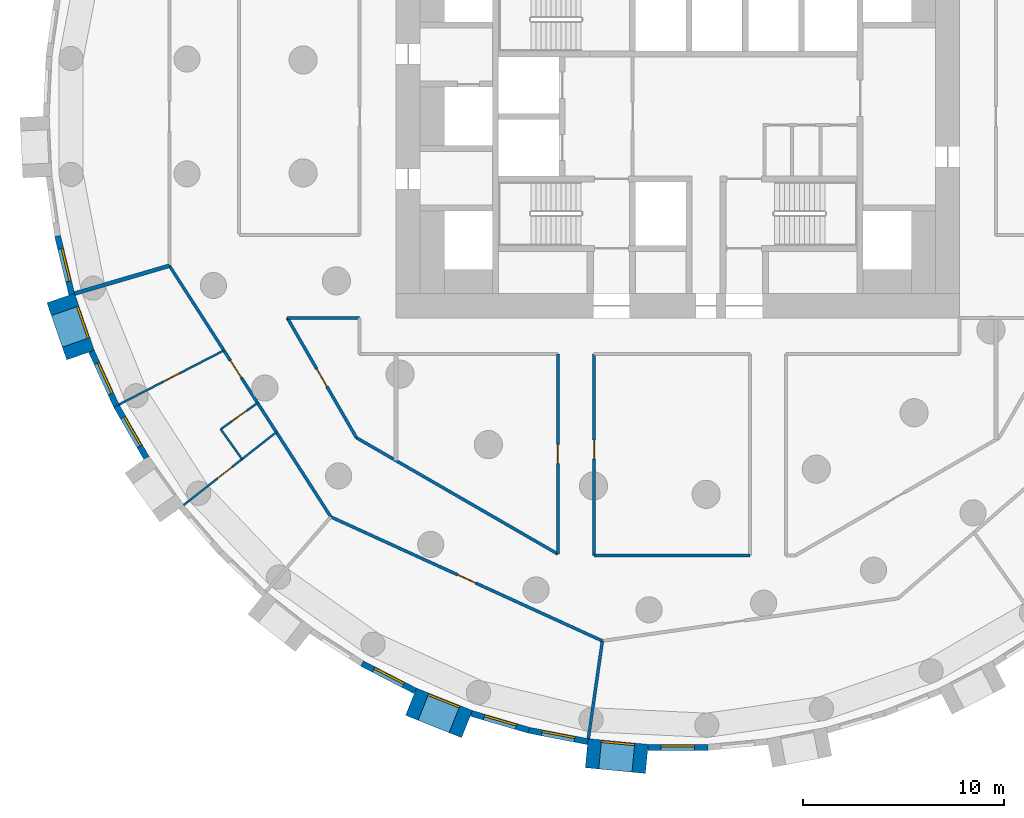
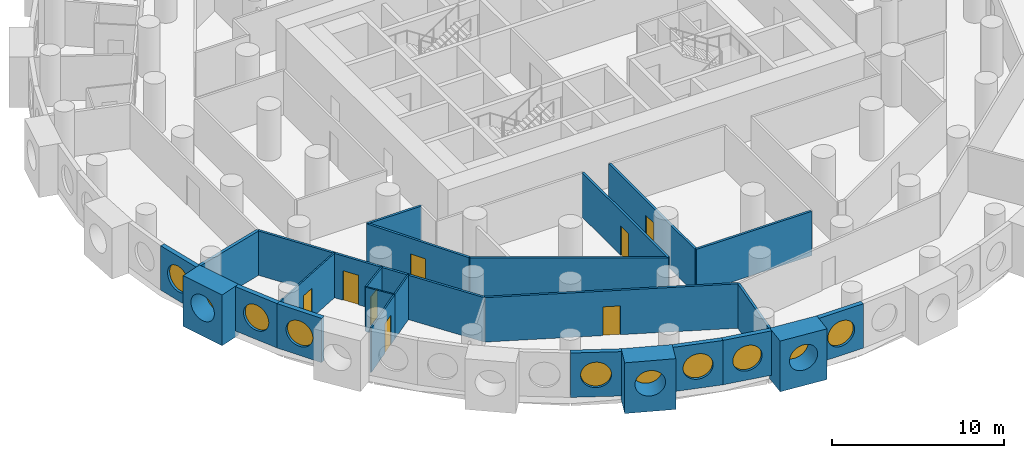
# One storey, part 3 of 12: 25 walls, 10 windows, 8 doors, 18 openings.
"""IFC4 building model written with IfcOpenShell, lengths in metres."""

from ifc_helpers import new_model, si_unit, direction, frame, frame_2d, origin, origin_2d, place, context, subcontext, project, spatial, rectangle, circle, extrude, material, layer, layer_set, type_object, element, fill, save


model = new_model("IFC4")

# Units and contexts
model_context = context("Model", 3, precision=1e-05, world=origin(), true_north=direction((0.0, 1.0)))
body_context = subcontext(model_context, "Body", "Model", "MODEL_VIEW")
ifc_project = project(units=[si_unit("LENGTHUNIT", "METRE"), si_unit("AREAUNIT", "SQUARE_METRE"), si_unit("VOLUMEUNIT", "CUBIC_METRE"), si_unit("PLANEANGLEUNIT", "RADIAN"), si_unit("MASSUNIT", "GRAM", prefix="KILO")], contexts=[model_context])

# Site, building, storey
site_placement = place(None, origin())
site = spatial("IfcSite", under=ifc_project, at=site_placement, CompositionType="ELEMENT")
building_placement = place(site_placement, origin())
building = spatial("IfcBuilding", under=site, at=building_placement, Name="Tracery Tower", CompositionType="ELEMENT")
storey_placement = place(building_placement, frame((0.0, 0.0, 89.39990234375)))
storey = spatial("IfcBuildingStorey", under=building, at=storey_placement, Name="L22", CompositionType="ELEMENT", Elevation=89.39990234375)

# Wall, opening, window
ifc_material_1 = material(Name="Precast concrete C50/60", Category="concrete")
ifc_layer_1 = layer(ifc_material_1, 1.449951171875)
ifc_layer_set_1 = layer_set([ifc_layer_1], Name="Deep-set bay unit 3000 x 3600, slab edge 450")
wall_type_1 = type_object("IfcWallType", Name="Deep-set bay unit 3000 x 3600, slab edge 450", PredefinedType="ELEMENTEDWALL", material=ifc_layer_set_1)
wall_1_placement = place(storey_placement, frame((-30.649169921875, -9.0205078125, -0.449951171875), z_axis=(0.0, 0.0, 1.0), x_axis=(0.327071431777, -0.944999618262, 0.0)))
wall_1 = element("IfcWall", 1, at=wall_1_placement, inside=storey, type_object=wall_type_1, Name="Deep-set bay unit 37 at L22", PredefinedType="ELEMENTEDWALL", context=body_context, shape_type="SweptSolid", body=[
    extrude(rectangle(XDim=3.0, YDim=1.449951171875, at=frame_2d((1.5, 0.0))), origin(), (0.0, 0.0, 1.0), 3.60009765625),
])
opening_1_placement = place(wall_1_placement, frame((1.5, 0.0, 2.0)))
opening_1 = element("IfcOpeningElement", 2, at=opening_1_placement, cuts=wall_1, Name="Opening WN1", PredefinedType="OPENING", context=body_context, shape_type="SweptSolid", body=[
    extrude(circle(Radius=0.9000244140625, at=origin_2d()), frame((0.0, 0.73486328125, 0.0), z_axis=(0.0, -1.0, 0.0), x_axis=(1.0, 0.0, 0.0)), (0.0, 0.0, 1.0), 1.469970703125),
])
ifc_material_2 = material(Name="Aluminium frame with tinted double glazing", Category="aluminium")
window_type = type_object("IfcWindowType", Name="Round window 1800", PartitioningType="SINGLE_PANEL", PredefinedType="WINDOW", material=ifc_material_2)
window_1_placement = place(opening_1_placement, origin())
window_1 = element("IfcWindow", 3, at=window_1_placement, inside=storey, type_object=window_type, Name="Round window 37 at L22", OverallHeight=1.800048828125, OverallWidth=1.800048828125, PartitioningType="SINGLE_PANEL", PredefinedType="WINDOW", context=body_context, shape_type="SweptSolid", body=[
    extrude(circle(Radius=0.9000244140625, at=origin_2d()), frame((0.0, 0.69482421875, 0.0), z_axis=(0.0, -1.0, 0.0), x_axis=(1.0, 0.0, 0.0)), (0.0, 0.0, 1.0), 0.10009765625),
])
fill(opening_1, window_1)

wall_2_placement = place(storey_placement, frame((-13.253662109375, -29.0703125, -0.449951171875), z_axis=(0.0, 0.0, 1.0), x_axis=(0.928358776184, -0.371685327504, 0.0)))
wall_2 = element("IfcWall", 4, at=wall_2_placement, inside=storey, type_object=wall_type_1, Name="Deep-set bay unit 46 at L22", PredefinedType="ELEMENTEDWALL", context=body_context, shape_type="SweptSolid", body=[
    extrude(rectangle(XDim=2.999755859375, YDim=1.449951171875, at=frame_2d((1.5, 0.0))), origin(), (0.0, 0.0, 1.0), 3.60009765625),
])
opening_2_placement = place(wall_2_placement, frame((1.5, 0.0, 2.0)))
opening_2 = element("IfcOpeningElement", 5, at=opening_2_placement, cuts=wall_2, Name="Opening WN1", PredefinedType="OPENING", context=body_context, shape_type="SweptSolid", body=[
    extrude(circle(Radius=0.9000244140625, at=origin_2d()), frame((0.0, 0.73486328125, 0.0), z_axis=(0.0, -1.0, 0.0), x_axis=(1.0, 0.0, 0.0)), (0.0, 0.0, 1.0), 1.469970703125),
])
window_2_placement = place(opening_2_placement, origin())
window_2 = element("IfcWindow", 6, at=window_2_placement, inside=storey, type_object=window_type, Name="Round window 46 at L22", OverallHeight=1.800048828125, OverallWidth=1.800048828125, PartitioningType="SINGLE_PANEL", PredefinedType="WINDOW", context=body_context, shape_type="SweptSolid", body=[
    extrude(circle(Radius=0.9000244140625, at=origin_2d()), frame((0.0, 0.69482421875, 0.0), z_axis=(0.0, -1.0, 0.0), x_axis=(1.0, 0.0, 0.0)), (0.0, 0.0, 1.0), 0.10009765625),
])
fill(opening_2, window_2)

wall_3_placement = place(storey_placement, frame((-4.52685546875, -31.626708984375, -0.449951171875), z_axis=(0.0, 0.0, 1.0), x_axis=(0.995472768558, -0.09504718333, 0.0)))
wall_3 = element("IfcWall", 7, at=wall_3_placement, inside=storey, type_object=wall_type_1, Name="Deep-set bay unit 49 at L22", PredefinedType="ELEMENTEDWALL", context=body_context, shape_type="SweptSolid", body=[
    extrude(rectangle(XDim=3.000244140625, YDim=1.449951171875, at=frame_2d((1.5, 0.0))), origin(), (0.0, 0.0, 1.0), 3.60009765625),
])
opening_3_placement = place(wall_3_placement, frame((1.5, 0.0, 2.0)))
opening_3 = element("IfcOpeningElement", 8, at=opening_3_placement, cuts=wall_3, Name="Opening WN1", PredefinedType="OPENING", context=body_context, shape_type="SweptSolid", body=[
    extrude(circle(Radius=0.9000244140625, at=origin_2d()), frame((0.0, 0.73486328125, 0.0), z_axis=(0.0, -1.0, 0.0), x_axis=(1.0, 0.0, 0.0)), (0.0, 0.0, 1.0), 1.469970703125),
])
window_3_placement = place(opening_3_placement, origin())
window_3 = element("IfcWindow", 9, at=window_3_placement, inside=storey, type_object=window_type, Name="Round window 49 at L22", OverallHeight=1.800048828125, OverallWidth=1.800048828125, PartitioningType="SINGLE_PANEL", PredefinedType="WINDOW", context=body_context, shape_type="SweptSolid", body=[
    extrude(circle(Radius=0.9000244140625, at=origin_2d()), frame((0.0, 0.69482421875, 0.0), z_axis=(0.0, -1.0, 0.0), x_axis=(1.0, 0.0, 0.0)), (0.0, 0.0, 1.0), 0.10009765625),
])
fill(opening_3, window_3)

ifc_material_3 = material(Name="Precast concrete C50/60", Category="concrete")
ifc_layer_2 = layer(ifc_material_3, 0.300048828125)
ifc_layer_set_2 = layer_set([ifc_layer_2], Name="Facade panel 3000 x 3150")
wall_type_2 = type_object("IfcWallType", Name="Facade panel 3000 x 3150", PredefinedType="SOLIDWALL", material=ifc_layer_set_2)
wall_4_placement = place(storey_placement, frame((-30.807373046875, -5.937744140625, 0.0), z_axis=(0.0, 0.0, 1.0), x_axis=(0.235743081534, -0.971815414319, 0.0)))
wall_4 = element("IfcWall", 10, at=wall_4_placement, inside=storey, type_object=wall_type_2, Name="Facade panel 36 at L22", PredefinedType="SOLIDWALL", context=body_context, shape_type="SweptSolid", body=[
    extrude(rectangle(XDim=2.9794921875, YDim=0.300048828125, at=frame_2d((1.48974609375, 0.0))), origin(), (0.0, 0.0, 1.0), 3.150146484375),
])
opening_4_placement = place(wall_4_placement, frame((1.48974609375, 0.0, 1.5498046875)))
opening_4 = element("IfcOpeningElement", 11, at=opening_4_placement, cuts=wall_4, Name="Opening WN1", PredefinedType="OPENING", context=body_context, shape_type="SweptSolid", body=[
    extrude(circle(Radius=0.9000244140625, at=origin_2d()), frame((0.0, 0.159912109375, 0.0), z_axis=(0.0, -1.0, 0.0), x_axis=(1.0, 0.0, 0.0)), (0.0, 0.0, 1.0), 0.320068359375),
])
window_4_placement = place(opening_4_placement, origin())
window_4 = element("IfcWindow", 12, at=window_4_placement, inside=storey, type_object=window_type, Name="Round window 36 at L22", OverallHeight=1.800048828125, OverallWidth=1.800048828125, PartitioningType="SINGLE_PANEL", PredefinedType="WINDOW", context=body_context, shape_type="SweptSolid", body=[
    extrude(circle(Radius=0.9000244140625, at=origin_2d()), frame((0.0, 0.1201171875, 0.0), z_axis=(0.0, -1.0, 0.0), x_axis=(1.0, 0.0, 0.0)), (0.0, 0.0, 1.0), 0.10009765625),
])
fill(opening_4, window_4)

wall_5_placement = place(storey_placement, frame((-29.12451171875, -11.666259765625, 0.0), z_axis=(0.0, 0.0, 1.0), x_axis=(0.415407317162, -0.909635509888, 0.0)))
wall_5 = element("IfcWall", 13, at=wall_5_placement, inside=storey, type_object=wall_type_2, Name="Facade panel 38 at L22", PredefinedType="SOLIDWALL", context=body_context, shape_type="SweptSolid", body=[
    extrude(rectangle(XDim=2.979736328125, YDim=0.300048828125, at=frame_2d((1.48974609375, 0.0))), origin(), (0.0, 0.0, 1.0), 3.150146484375),
])
opening_5_placement = place(wall_5_placement, frame((1.48974609375, 0.0, 1.5498046875)))
opening_5 = element("IfcOpeningElement", 14, at=opening_5_placement, cuts=wall_5, Name="Opening WN1", PredefinedType="OPENING", context=body_context, shape_type="SweptSolid", body=[
    extrude(circle(Radius=0.9000244140625, at=origin_2d()), frame((0.0, 0.159912109375, 0.0), z_axis=(0.0, -1.0, 0.0), x_axis=(1.0, 0.0, 0.0)), (0.0, 0.0, 1.0), 0.320068359375),
])
window_5_placement = place(opening_5_placement, origin())
window_5 = element("IfcWindow", 15, at=window_5_placement, inside=storey, type_object=window_type, Name="Round window 38 at L22", OverallHeight=1.800048828125, OverallWidth=1.800048828125, PartitioningType="SINGLE_PANEL", PredefinedType="WINDOW", context=body_context, shape_type="SweptSolid", body=[
    extrude(circle(Radius=0.9000244140625, at=origin_2d()), frame((0.0, 0.1201171875, 0.0), z_axis=(0.0, -1.0, 0.0), x_axis=(1.0, 0.0, 0.0)), (0.0, 0.0, 1.0), 0.10009765625),
])
fill(opening_5, window_5)

wall_6_placement = place(storey_placement, frame((-27.88671875, -14.376708984375, 0.0), z_axis=(0.0, 0.0, 1.0), x_axis=(0.499999078476, -0.866025935826, 0.0)))
wall_6 = element("IfcWall", 16, at=wall_6_placement, inside=storey, type_object=wall_type_2, Name="Facade panel 39 at L22", PredefinedType="SOLIDWALL", context=body_context, shape_type="SweptSolid", body=[
    extrude(rectangle(XDim=2.9794921875, YDim=0.300048828125, at=frame_2d((1.48974609375, 0.0))), origin(), (0.0, 0.0, 1.0), 3.150146484375),
])
opening_6_placement = place(wall_6_placement, frame((1.48974609375, 0.0, 1.5498046875)))
opening_6 = element("IfcOpeningElement", 17, at=opening_6_placement, cuts=wall_6, Name="Opening WN1", PredefinedType="OPENING", context=body_context, shape_type="SweptSolid", body=[
    extrude(circle(Radius=0.9000244140625, at=origin_2d()), frame((0.0, 0.159912109375, 0.0), z_axis=(0.0, -1.0, 0.0), x_axis=(1.0, 0.0, 0.0)), (0.0, 0.0, 1.0), 0.320068359375),
])
window_6_placement = place(opening_6_placement, origin())
window_6 = element("IfcWindow", 18, at=window_6_placement, inside=storey, type_object=window_type, Name="Round window 39 at L22", OverallHeight=1.800048828125, OverallWidth=1.800048828125, PartitioningType="SINGLE_PANEL", PredefinedType="WINDOW", context=body_context, shape_type="SweptSolid", body=[
    extrude(circle(Radius=0.9000244140625, at=origin_2d()), frame((0.0, 0.1201171875, 0.0), z_axis=(0.0, -1.0, 0.0), x_axis=(1.0, 0.0, 0.0)), (0.0, 0.0, 1.0), 0.10009765625),
])
fill(opening_6, window_6)

wall_7_placement = place(storey_placement, frame((-15.687255859375, -27.171142578125, 0.0), z_axis=(0.0, 0.0, 1.0), x_axis=(0.888853225096, -0.4581920386, 0.0)))
wall_7 = element("IfcWall", 19, at=wall_7_placement, inside=storey, type_object=wall_type_2, Name="Facade panel 45 at L22", PredefinedType="SOLIDWALL", context=body_context, shape_type="SweptSolid", body=[
    extrude(rectangle(XDim=2.9794921875, YDim=0.300048828125, at=frame_2d((1.48974609375, 0.0))), origin(), (0.0, 0.0, 1.0), 3.150146484375),
])
opening_7_placement = place(wall_7_placement, frame((1.48974609375, 0.0, 1.5498046875)))
opening_7 = element("IfcOpeningElement", 20, at=opening_7_placement, cuts=wall_7, Name="Opening WN1", PredefinedType="OPENING", context=body_context, shape_type="SweptSolid", body=[
    extrude(circle(Radius=0.9000244140625, at=origin_2d()), frame((0.0, 0.159912109375, 0.0), z_axis=(0.0, -1.0, 0.0), x_axis=(1.0, 0.0, 0.0)), (0.0, 0.0, 1.0), 0.320068359375),
])
window_7_placement = place(opening_7_placement, origin())
window_7 = element("IfcWindow", 21, at=window_7_placement, inside=storey, type_object=window_type, Name="Round window 45 at L22", OverallHeight=1.800048828125, OverallWidth=1.800048828125, PartitioningType="SINGLE_PANEL", PredefinedType="WINDOW", context=body_context, shape_type="SweptSolid", body=[
    extrude(circle(Radius=0.9000244140625, at=origin_2d()), frame((0.0, 0.1201171875, 0.0), z_axis=(0.0, -1.0, 0.0), x_axis=(1.0, 0.0, 0.0)), (0.0, 0.0, 1.0), 0.10009765625),
])
fill(opening_7, window_7)

wall_8_placement = place(storey_placement, frame((-10.255859375, -29.650634765625, 0.0), z_axis=(0.0, 0.0, 1.0), x_axis=(0.959507586834, -0.28168278401, 0.0)))
wall_8 = element("IfcWall", 22, at=wall_8_placement, inside=storey, type_object=wall_type_2, Name="Facade panel 47 at L22", PredefinedType="SOLIDWALL", context=body_context, shape_type="SweptSolid", body=[
    extrude(rectangle(XDim=2.979736328125, YDim=0.300048828125, at=frame_2d((1.48974609375, 0.0))), origin(), (0.0, 0.0, 1.0), 3.150146484375),
])
opening_8_placement = place(wall_8_placement, frame((1.48974609375, 0.0, 1.5498046875)))
opening_8 = element("IfcOpeningElement", 23, at=opening_8_placement, cuts=wall_8, Name="Opening WN1", PredefinedType="OPENING", context=body_context, shape_type="SweptSolid", body=[
    extrude(circle(Radius=0.9000244140625, at=origin_2d()), frame((0.0, 0.159912109375, 0.0), z_axis=(0.0, -1.0, 0.0), x_axis=(1.0, 0.0, 0.0)), (0.0, 0.0, 1.0), 0.320068359375),
])
window_8_placement = place(opening_8_placement, origin())
window_8 = element("IfcWindow", 24, at=window_8_placement, inside=storey, type_object=window_type, Name="Round window 47 at L22", OverallHeight=1.800048828125, OverallWidth=1.800048828125, PartitioningType="SINGLE_PANEL", PredefinedType="WINDOW", context=body_context, shape_type="SweptSolid", body=[
    extrude(circle(Radius=0.9000244140625, at=origin_2d()), frame((0.0, 0.1201171875, 0.0), z_axis=(0.0, -1.0, 0.0), x_axis=(1.0, 0.0, 0.0)), (0.0, 0.0, 1.0), 0.10009765625),
])
fill(opening_8, window_8)

wall_9_placement = place(storey_placement, frame((-7.396728515625, -30.489990234375, 0.0), z_axis=(0.0, 0.0, 1.0), x_axis=(0.981924535406, -0.189272836848, 0.0)))
wall_9 = element("IfcWall", 25, at=wall_9_placement, inside=storey, type_object=wall_type_2, Name="Facade panel 48 at L22", PredefinedType="SOLIDWALL", context=body_context, shape_type="SweptSolid", body=[
    extrude(rectangle(XDim=2.979736328125, YDim=0.300048828125, at=frame_2d((1.48974609375, 0.0))), origin(), (0.0, 0.0, 1.0), 3.150146484375),
])
opening_9_placement = place(wall_9_placement, frame((1.48974609375, 0.0, 1.5498046875)))
opening_9 = element("IfcOpeningElement", 26, at=opening_9_placement, cuts=wall_9, Name="Opening WN1", PredefinedType="OPENING", context=body_context, shape_type="SweptSolid", body=[
    extrude(circle(Radius=0.9000244140625, at=origin_2d()), frame((0.0, 0.159912109375, 0.0), z_axis=(0.0, -1.0, 0.0), x_axis=(1.0, 0.0, 0.0)), (0.0, 0.0, 1.0), 0.320068359375),
])
window_9_placement = place(opening_9_placement, origin())
window_9 = element("IfcWindow", 27, at=window_9_placement, inside=storey, type_object=window_type, Name="Round window 48 at L22", OverallHeight=1.800048828125, OverallWidth=1.800048828125, PartitioningType="SINGLE_PANEL", PredefinedType="WINDOW", context=body_context, shape_type="SweptSolid", body=[
    extrude(circle(Radius=0.9000244140625, at=origin_2d()), frame((0.0, 0.1201171875, 0.0), z_axis=(0.0, -1.0, 0.0), x_axis=(1.0, 0.0, 0.0)), (0.0, 0.0, 1.0), 0.10009765625),
])
fill(opening_9, window_9)

wall_10_placement = place(storey_placement, frame((-1.48681640625, -31.3388671875, 0.0), z_axis=(0.0, 0.0, 1.0), x_axis=(1.0, 0.0, 0.0)))
wall_10 = element("IfcWall", 28, at=wall_10_placement, inside=storey, type_object=wall_type_2, Name="Facade panel 50 at L22", PredefinedType="SOLIDWALL", context=body_context, shape_type="SweptSolid", body=[
    extrude(rectangle(XDim=2.979736328125, YDim=0.300048828125, at=frame_2d((1.48974609375, 0.0))), origin(), (0.0, 0.0, 1.0), 3.150146484375),
])
opening_10_placement = place(wall_10_placement, frame((1.48974609375, 0.0, 1.5498046875)))
opening_10 = element("IfcOpeningElement", 29, at=opening_10_placement, cuts=wall_10, Name="Opening WN1", PredefinedType="OPENING", context=body_context, shape_type="SweptSolid", body=[
    extrude(circle(Radius=0.9000244140625, at=origin_2d()), frame((0.0, 0.159912109375, 0.0), z_axis=(0.0, -1.0, 0.0), x_axis=(1.0, 0.0, 0.0)), (0.0, 0.0, 1.0), 0.320068359375),
])
window_10_placement = place(opening_10_placement, origin())
window_10 = element("IfcWindow", 30, at=window_10_placement, inside=storey, type_object=window_type, Name="Round window 50 at L22", OverallHeight=1.800048828125, OverallWidth=1.800048828125, PartitioningType="SINGLE_PANEL", PredefinedType="WINDOW", context=body_context, shape_type="SweptSolid", body=[
    extrude(circle(Radius=0.9000244140625, at=origin_2d()), frame((0.0, 0.1201171875, 0.0), z_axis=(0.0, -1.0, 0.0), x_axis=(1.0, 0.0, 0.0)), (0.0, 0.0, 1.0), 0.10009765625),
])
fill(opening_10, window_10)

# Wall, opening, door
ifc_material_4 = material(Name="Plasterboard on steel studs", Category="steel")
ifc_layer_3 = layer(ifc_material_4, 0.10009765625)
ifc_layer_set_3 = layer_set([ifc_layer_3], Name="Partition 100 stud")
wall_type_3 = type_object("IfcWallType", Name="Partition 100 stud", PredefinedType="PARTITIONING", material=ifc_layer_set_3)
wall_11_placement = place(storey_placement, frame((-27.7529296875, -14.30810546875, 0.0), z_axis=(0.0, 0.0, 1.0), x_axis=(0.88877955153, 0.45833493079, 0.0)))
wall_11 = element("IfcWall", 31, at=wall_11_placement, inside=storey, type_object=wall_type_3, Name="Stud partition RA6-092", PredefinedType="PARTITIONING", context=body_context, shape_type="SweptSolid", body=[
    extrude(rectangle(XDim=5.856201171875, YDim=0.10009765625, at=frame_2d((2.92822265625, 0.0))), origin(), (0.0, 0.0, 1.0), 3.150146484375),
])
opening_11_placement = place(wall_11_placement, frame((2.47802734375, 0.0, 0.0)))
opening_11 = element("IfcOpeningElement", 32, at=opening_11_placement, cuts=wall_11, Name="Opening RA6-36", PredefinedType="OPENING", context=body_context, shape_type="SweptSolid", body=[
    extrude(rectangle(XDim=0.89990234375, YDim=2.10009765625, at=frame_2d((0.449951171875, 1.050048828125))), frame((0.0, 0.050048828125, 0.0), z_axis=(0.0, -1.0, 0.0), x_axis=(1.0, 0.0, 0.0)), (0.0, 0.0, 1.0), 0.10009765625),
])
ifc_material_5 = material(Name="Timber door leaf", Category="wood")
door_type_1 = type_object("IfcDoorType", Name="Door bedroom 900", OperationType="NOTDEFINED", PredefinedType="DOOR", material=ifc_material_5)
door_1_placement = place(opening_11_placement, origin())
door_1 = element("IfcDoor", 33, at=door_1_placement, inside=storey, type_object=door_type_1, Name="Bedroom door RA6-36", OperationType="SINGLE_SWING_LEFT", OverallHeight=2.10009765625, OverallWidth=0.89990234375, PredefinedType="DOOR", context=body_context, shape_type="SweptSolid", body=[
    extrude(rectangle(XDim=0.89990234375, YDim=2.10009765625, at=frame_2d((0.449951171875, 1.050048828125))), frame((0.0, 0.02490234375, 0.0), z_axis=(0.0, -1.0, 0.0), x_axis=(1.0, 0.0, 0.0)), (0.0, 0.0, 1.0), 0.050048828125),
])
fill(opening_11, door_1)

wall_12_placement = place(storey_placement, frame((-24.5439453125, -19.302001953125, 0.0), z_axis=(0.0, 0.0, 1.0), x_axis=(0.785987576403, 0.618242290481, 0.0)))
wall_12 = element("IfcWall", 34, at=wall_12_placement, inside=storey, type_object=wall_type_3, Name="Stud partition RA6-093", PredefinedType="PARTITIONING", context=body_context, shape_type="SweptSolid", body=[
    extrude(rectangle(XDim=3.689453125, YDim=0.10009765625, at=frame_2d((1.8447265625, 0.0))), origin(), (0.0, 0.0, 1.0), 3.150146484375),
])
opening_12_placement = place(wall_12_placement, frame((2.14453125, 0.0, 0.0)))
opening_12 = element("IfcOpeningElement", 35, at=opening_12_placement, cuts=wall_12, Name="Opening RA6-37", PredefinedType="OPENING", context=body_context, shape_type="SweptSolid", body=[
    extrude(rectangle(XDim=0.89990234375, YDim=2.10009765625, at=frame_2d((0.449951171875, 1.050048828125))), frame((0.0, 0.050048828125, 0.0), z_axis=(0.0, -1.0, 0.0), x_axis=(1.0, 0.0, 0.0)), (0.0, 0.0, 1.0), 0.10009765625),
])
door_2_placement = place(opening_12_placement, origin())
door_2 = element("IfcDoor", 36, at=door_2_placement, inside=storey, type_object=door_type_1, Name="Bedroom door RA6-37", OperationType="SINGLE_SWING_LEFT", OverallHeight=2.10009765625, OverallWidth=0.89990234375, PredefinedType="DOOR", context=body_context, shape_type="SweptSolid", body=[
    extrude(rectangle(XDim=0.89990234375, YDim=2.10009765625, at=frame_2d((0.449951171875, 1.050048828125))), frame((0.0, 0.02490234375, 0.0), z_axis=(0.0, -1.0, 0.0), x_axis=(1.0, 0.0, 0.0)), (0.0, 0.0, 1.0), 0.050048828125),
])
fill(opening_12, door_2)

ifc_material_6 = material(Name="Plasterboard on steel studs", Category="steel")
ifc_layer_4 = layer(ifc_material_6, 0.10009765625)
ifc_layer_set_4 = layer_set([ifc_layer_4], Name="Partition 100 wet wall")
wall_type_4 = type_object("IfcWallType", Name="Partition 100 wet wall", PredefinedType="PARTITIONING", material=ifc_layer_set_4)
wall_13_placement = place(storey_placement, frame((-22.702880859375, -15.534912109375, 0.0), z_axis=(0.0, 0.0, 1.0), x_axis=(0.814525331415, 0.580127989743, 0.0)))
wall_13 = element("IfcWall", 37, at=wall_13_placement, inside=storey, type_object=wall_type_4, Name="Wet wall RA6-094", PredefinedType="PARTITIONING", context=body_context, shape_type="SweptSolid", body=[
    extrude(rectangle(XDim=2.247802734375, YDim=0.10009765625, at=frame_2d((1.1240234375, 0.0))), origin(), (0.0, 0.0, 1.0), 3.150146484375),
])
opening_13_placement = place(wall_13_placement, frame((0.673828125, 0.0, 0.0)))
opening_13 = element("IfcOpeningElement", 38, at=opening_13_placement, cuts=wall_13, Name="Opening RA6-38", PredefinedType="OPENING", context=body_context, shape_type="SweptSolid", body=[
    extrude(rectangle(XDim=0.89990234375, YDim=2.0, at=frame_2d((0.449951171875, 1.0))), frame((0.0, 0.050048828125, 0.0), z_axis=(0.0, -1.0, 0.0), x_axis=(1.0, 0.0, 0.0)), (0.0, 0.0, 1.0), 0.10009765625),
])
ifc_material_7 = material(Name="Timber door leaf", Category="wood")
door_type_2 = type_object("IfcDoorType", Name="Door shower room 900", OperationType="NOTDEFINED", PredefinedType="DOOR", material=ifc_material_7)
door_3_placement = place(opening_13_placement, origin())
door_3 = element("IfcDoor", 39, at=door_3_placement, inside=storey, type_object=door_type_2, Name="Shower room door RA6-38", OperationType="SINGLE_SWING_RIGHT", OverallHeight=2.0, OverallWidth=0.89990234375, PredefinedType="DOOR", context=body_context, shape_type="SweptSolid", body=[
    extrude(rectangle(XDim=0.89990234375, YDim=2.0, at=frame_2d((0.449951171875, 1.0))), frame((0.0, 0.02490234375, 0.0), z_axis=(0.0, -1.0, 0.0), x_axis=(1.0, 0.0, 0.0)), (0.0, 0.0, 1.0), 0.050048828125),
])
fill(opening_13, door_3)

# Walls
wall_14_placement = place(storey_placement, frame((-22.702880859375, -15.534912109375, 0.0), z_axis=(0.0, 0.0, 1.0), x_axis=(0.580275898497, -0.814419966371, 0.0)))
element("IfcWall", 40, at=wall_14_placement, inside=storey, type_object=wall_type_4, Name="Wet wall RA6-095", PredefinedType="PARTITIONING", context=body_context, shape_type="SweptSolid", body=[
    extrude(rectangle(XDim=1.82470703125, YDim=0.10009765625, at=frame_2d((0.912353515625, 0.0))), origin(), (0.0, 0.0, 1.0), 3.150146484375),
])
wall_15_placement = place(storey_placement, frame((-21.64697265625, -17.02294921875, 0.0), z_axis=(0.0, 0.0, 1.0), x_axis=(0.786138836794, 0.618049940769, 0.0)))
element("IfcWall", 41, at=wall_15_placement, inside=storey, type_object=wall_type_4, Name="Wet wall RA6-096", PredefinedType="PARTITIONING", context=body_context, shape_type="SweptSolid", body=[
    extrude(rectangle(XDim=2.17138671875, YDim=0.10009765625, at=frame_2d((1.085693359375, 0.0))), origin(), (0.0, 0.0, 1.0), 3.150146484375),
])
ifc_material_8 = material(Name="Plasterboard on steel studs", Category="steel")
ifc_layer_5 = layer(ifc_material_8, 0.14990234375)
ifc_layer_set_5 = layer_set([ifc_layer_5], Name="Partition 150 acoustic unit wall")
wall_type_5 = type_object("IfcWallType", Name="Partition 150 acoustic unit wall", PredefinedType="PARTITIONING", material=ifc_layer_set_5)
wall_16_placement = place(storey_placement, frame((-4.444091796875, -30.906005859375, 0.0), z_axis=(0.0, 0.0, 1.0), x_axis=(0.142306296561, 0.989822669956, 0.0)))
element("IfcWall", 42, at=wall_16_placement, inside=storey, type_object=wall_type_5, Name="Unit wall RA6-098", PredefinedType="PARTITIONING", context=body_context, shape_type="SweptSolid", body=[
    extrude(rectangle(XDim=4.90478515625, YDim=0.14990234375, at=frame_2d((2.452392578125, 0.0))), origin(), (0.0, 0.0, 1.0), 3.150146484375),
])
ifc_material_9 = material(Name="Plasterboard on steel studs", Category="steel")
ifc_layer_6 = layer(ifc_material_9, 0.14990234375)
ifc_layer_set_6 = layer_set([ifc_layer_6], Name="Partition 150 corridor wall")
wall_type_6 = type_object("IfcWallType", Name="Partition 150 corridor wall", PredefinedType="PARTITIONING", material=ifc_layer_set_6)
wall_17_placement = place(storey_placement, frame((-19.40087890625, -10.0, 0.0), z_axis=(0.0, 0.0, 1.0), x_axis=(1.0, 0.0, 0.0)))
element("IfcWall", 43, at=wall_17_placement, inside=storey, type_object=wall_type_6, Name="Corridor wall RA6-038", PredefinedType="PARTITIONING", context=body_context, shape_type="SweptSolid", body=[
    extrude(rectangle(XDim=3.600830078125, YDim=0.14990234375, at=frame_2d((1.80029296875, 0.0))), origin(), (0.0, 0.0, 1.0), 3.150146484375),
])

# Wall, opening, door
wall_18_placement = place(storey_placement, frame((-19.40087890625, -10.0, 0.0), z_axis=(0.0, 0.0, 1.0), x_axis=(0.499992689227, -0.86602962462, 0.0)))
wall_18 = element("IfcWall", 44, at=wall_18_placement, inside=storey, type_object=wall_type_6, Name="Corridor wall RA6-039", PredefinedType="PARTITIONING", context=body_context, shape_type="SweptSolid", body=[
    extrude(rectangle(XDim=6.8818359375, YDim=0.14990234375, at=frame_2d((3.44091796875, 0.0))), origin(), (0.0, 0.0, 1.0), 3.150146484375),
])
opening_14_placement = place(wall_18_placement, frame((2.94091796875, 0.0, 0.0)))
opening_14 = element("IfcOpeningElement", 45, at=opening_14_placement, cuts=wall_18, Name="Opening RA6-10", PredefinedType="OPENING", context=body_context, shape_type="SweptSolid", body=[
    extrude(rectangle(XDim=1.0, YDim=2.0400390625, at=frame_2d((0.5, 1.02001953125))), frame((0.0, 0.074951171875, 0.0), z_axis=(0.0, -1.0, 0.0), x_axis=(1.0, 0.0, 0.0)), (0.0, 0.0, 1.0), 0.14990234375),
])
ifc_material_10 = material(Name="Timber door leaf", Category="wood")
door_type_3 = type_object("IfcDoorType", Name="Door communal room 1000", OperationType="NOTDEFINED", PredefinedType="DOOR", material=ifc_material_10)
door_4_placement = place(opening_14_placement, origin())
door_4 = element("IfcDoor", 46, at=door_4_placement, inside=storey, type_object=door_type_3, Name="Communal room door RA6-10", OperationType="SINGLE_SWING_LEFT", OverallHeight=2.0400390625, OverallWidth=1.0, PredefinedType="DOOR", context=body_context, shape_type="SweptSolid", body=[
    extrude(rectangle(XDim=1.0, YDim=2.0400390625, at=frame_2d((0.5, 1.02001953125))), frame((0.0, 0.02490234375, 0.0), z_axis=(0.0, -1.0, 0.0), x_axis=(1.0, 0.0, 0.0)), (0.0, 0.0, 1.0), 0.050048828125),
])
fill(opening_14, door_4)

wall_19_placement = place(storey_placement, frame((-25.252685546875, -7.414794921875, 0.0), z_axis=(0.0, 0.0, 1.0), x_axis=(0.540667724156, -0.841236240337, 0.0)))
wall_19 = element("IfcWall", 47, at=wall_19_placement, inside=storey, type_object=wall_type_6, Name="Corridor wall RA6-043", PredefinedType="PARTITIONING", context=body_context, shape_type="SweptSolid", body=[
    extrude(rectangle(XDim=14.82958984375, YDim=0.14990234375, at=frame_2d((7.414794921875, 0.0))), origin(), (0.0, 0.0, 1.0), 3.150146484375),
])
opening_15_placement = place(wall_19_placement, frame((5.60205078125, 0.0, 0.0)))
opening_15 = element("IfcOpeningElement", 48, at=opening_15_placement, cuts=wall_19, Name="Opening RA6-39", PredefinedType="OPENING", context=body_context, shape_type="SweptSolid", body=[
    extrude(rectangle(XDim=1.0, YDim=2.10009765625, at=frame_2d((0.5, 1.050048828125))), frame((0.0, 0.074951171875, 0.0), z_axis=(0.0, -1.0, 0.0), x_axis=(1.0, 0.0, 0.0)), (0.0, 0.0, 1.0), 0.14990234375),
])
ifc_material_11 = material(Name="Timber door leaf", Category="wood")
door_type_4 = type_object("IfcDoorType", Name="Door unit entrance 1000", OperationType="NOTDEFINED", PredefinedType="DOOR", material=ifc_material_11)
door_5_placement = place(opening_15_placement, origin())
door_5 = element("IfcDoor", 49, at=door_5_placement, inside=storey, type_object=door_type_4, Name="Unit entrance door RA6-39", OperationType="SINGLE_SWING_RIGHT", OverallHeight=2.10009765625, OverallWidth=1.0, PredefinedType="DOOR", context=body_context, shape_type="SweptSolid", body=[
    extrude(rectangle(XDim=1.0, YDim=2.10009765625, at=frame_2d((0.5, 1.050048828125))), frame((0.0, 0.02490234375, 0.0), z_axis=(0.0, -1.0, 0.0), x_axis=(1.0, 0.0, 0.0)), (0.0, 0.0, 1.0), 0.050048828125),
])
fill(opening_15, door_5)

# Wall
wall_20_placement = place(storey_placement, frame((-15.960205078125, -15.960205078125, 0.0), z_axis=(0.0, 0.0, 1.0), x_axis=(0.86602397904, -0.500002467721, 0.0)))
element("IfcWall", 50, at=wall_20_placement, inside=storey, type_object=wall_type_6, Name="Corridor wall RA6-044", PredefinedType="PARTITIONING", context=body_context, shape_type="SweptSolid", body=[
    extrude(rectangle(XDim=11.54736328125, YDim=0.14990234375, at=frame_2d((5.773681640625, 0.0))), origin(), (0.0, 0.0, 1.0), 3.150146484375),
])

# Wall, opening, door
wall_21_placement = place(storey_placement, frame((-5.9599609375, -21.73388671875, 0.0), z_axis=(0.0, 0.0, 1.0), x_axis=(0.0, 1.0, 0.0)))
wall_21 = element("IfcWall", 51, at=wall_21_placement, inside=storey, type_object=wall_type_6, Name="Corridor wall RA6-045", PredefinedType="PARTITIONING", context=body_context, shape_type="SweptSolid", body=[
    extrude(rectangle(XDim=9.933837890625, YDim=0.14990234375, at=frame_2d((4.966796875, 0.0))), origin(), (0.0, 0.0, 1.0), 3.150146484375),
])
opening_16_placement = place(wall_21_placement, frame((4.491943359375, 0.0, 0.0)))
opening_16 = element("IfcOpeningElement", 52, at=opening_16_placement, cuts=wall_21, Name="Opening RA6-04", PredefinedType="OPENING", context=body_context, shape_type="SweptSolid", body=[
    extrude(rectangle(XDim=0.949951171875, YDim=2.10009765625, at=frame_2d((0.47509765625, 1.050048828125))), frame((0.0, 0.074951171875, 0.0), z_axis=(0.0, -1.0, 0.0), x_axis=(1.0, 0.0, 0.0)), (0.0, 0.0, 1.0), 0.14990234375),
])
ifc_material_12 = material(Name="Timber door leaf", Category="wood")
door_type_5 = type_object("IfcDoorType", Name="Door store 950", OperationType="NOTDEFINED", PredefinedType="DOOR", material=ifc_material_12)
door_6_placement = place(opening_16_placement, origin())
door_6 = element("IfcDoor", 53, at=door_6_placement, inside=storey, type_object=door_type_5, Name="Store door RA6-04", OperationType="SINGLE_SWING_LEFT", OverallHeight=2.10009765625, OverallWidth=0.949951171875, PredefinedType="DOOR", context=body_context, shape_type="SweptSolid", body=[
    extrude(rectangle(XDim=0.949951171875, YDim=2.10009765625, at=frame_2d((0.47509765625, 1.050048828125))), frame((0.0, 0.02490234375, 0.0), z_axis=(0.0, -1.0, 0.0), x_axis=(1.0, 0.0, 0.0)), (0.0, 0.0, 1.0), 0.050048828125),
])
fill(opening_16, door_6)

wall_22_placement = place(storey_placement, frame((-4.159912109375, -21.802001953125, 0.0), z_axis=(0.0, 0.0, 1.0), x_axis=(0.0, 1.0, 0.0)))
wall_22 = element("IfcWall", 54, at=wall_22_placement, inside=storey, type_object=wall_type_6, Name="Corridor wall RA6-046", PredefinedType="PARTITIONING", context=body_context, shape_type="SweptSolid", body=[
    extrude(rectangle(XDim=10.001953125, YDim=0.14990234375, at=frame_2d((5.0009765625, 0.0))), origin(), (0.0, 0.0, 1.0), 3.150146484375),
])
opening_17_placement = place(wall_22_placement, frame((4.77587890625, 0.0, 0.0)))
opening_17 = element("IfcOpeningElement", 55, at=opening_17_placement, cuts=wall_22, Name="Opening RA6-05", PredefinedType="OPENING", context=body_context, shape_type="SweptSolid", body=[
    extrude(rectangle(XDim=0.949951171875, YDim=2.10009765625, at=frame_2d((0.47509765625, 1.050048828125))), frame((0.0, 0.074951171875, 0.0), z_axis=(0.0, -1.0, 0.0), x_axis=(1.0, 0.0, 0.0)), (0.0, 0.0, 1.0), 0.14990234375),
])
door_7_placement = place(opening_17_placement, origin())
door_7 = element("IfcDoor", 56, at=door_7_placement, inside=storey, type_object=door_type_5, Name="Store door RA6-05", OperationType="SINGLE_SWING_LEFT", OverallHeight=2.10009765625, OverallWidth=0.949951171875, PredefinedType="DOOR", context=body_context, shape_type="SweptSolid", body=[
    extrude(rectangle(XDim=0.949951171875, YDim=2.10009765625, at=frame_2d((0.47509765625, 1.050048828125))), frame((0.0, 0.02490234375, 0.0), z_axis=(0.0, -1.0, 0.0), x_axis=(1.0, 0.0, 0.0)), (0.0, 0.0, 1.0), 0.050048828125),
])
fill(opening_17, door_7)

# Wall
wall_23_placement = place(storey_placement, frame((-4.159912109375, -21.802001953125, 0.0), z_axis=(0.0, 0.0, 1.0), x_axis=(1.0, 0.0, 0.0)))
element("IfcWall", 57, at=wall_23_placement, inside=storey, type_object=wall_type_6, Name="Corridor wall RA6-047", PredefinedType="PARTITIONING", context=body_context, shape_type="SweptSolid", body=[
    extrude(rectangle(XDim=7.73583984375, YDim=0.14990234375, at=frame_2d((3.867919921875, 0.0))), origin(), (0.0, 0.0, 1.0), 3.150146484375),
])

# Wall, opening, door
wall_24_placement = place(storey_placement, frame((-17.235107421875, -19.889892578125, 0.0), z_axis=(0.0, 0.0, 1.0), x_axis=(0.90960889055, -0.415465601743, 0.0)))
wall_24 = element("IfcWall", 58, at=wall_24_placement, inside=storey, type_object=wall_type_6, Name="Corridor wall RA6-052", PredefinedType="PARTITIONING", context=body_context, shape_type="SweptSolid", body=[
    extrude(rectangle(XDim=14.829345703125, YDim=0.14990234375, at=frame_2d((7.41455078125, 0.0))), origin(), (0.0, 0.0, 1.0), 3.150146484375),
])
opening_18_placement = place(wall_24_placement, frame((6.914306640625, 0.0, 0.0)))
opening_18 = element("IfcOpeningElement", 59, at=opening_18_placement, cuts=wall_24, Name="Opening RA6-40", PredefinedType="OPENING", context=body_context, shape_type="SweptSolid", body=[
    extrude(rectangle(XDim=1.0, YDim=2.0400390625, at=frame_2d((0.5, 1.02001953125))), frame((0.0, 0.074951171875, 0.0), z_axis=(0.0, -1.0, 0.0), x_axis=(1.0, 0.0, 0.0)), (0.0, 0.0, 1.0), 0.14990234375),
])
door_8_placement = place(opening_18_placement, origin())
door_8 = element("IfcDoor", 60, at=door_8_placement, inside=storey, type_object=door_type_3, Name="Communal room door RA6-40", OperationType="SINGLE_SWING_RIGHT", OverallHeight=2.0400390625, OverallWidth=1.0, PredefinedType="DOOR", context=body_context, shape_type="SweptSolid", body=[
    extrude(rectangle(XDim=1.0, YDim=2.0400390625, at=frame_2d((0.5, 1.02001953125))), frame((0.0, 0.02490234375, 0.0), z_axis=(0.0, -1.0, 0.0), x_axis=(1.0, 0.0, 0.0)), (0.0, 0.0, 1.0), 0.050048828125),
])
fill(opening_18, door_8)

# Wall
ifc_material_13 = material(Name="Plasterboard on steel studs", Category="steel")
ifc_layer_7 = layer(ifc_material_13, 0.199951171875)
ifc_layer_set_7 = layer_set([ifc_layer_7], Name="Partition 200 compartment wall")
wall_type_7 = type_object("IfcWallType", Name="Partition 200 compartment wall", PredefinedType="PARTITIONING", material=ifc_layer_set_7)
wall_25_placement = place(storey_placement, frame((-29.958984375, -8.797119140625, 0.0), z_axis=(0.0, 0.0, 1.0), x_axis=(0.959478767209, 0.281780934902, 0.0)))
element("IfcWall", 61, at=wall_25_placement, inside=storey, type_object=wall_type_7, Name="Compartment wall RA6-091", PredefinedType="PARTITIONING", context=body_context, shape_type="SweptSolid", body=[
    extrude(rectangle(XDim=4.90478515625, YDim=0.199951171875, at=frame_2d((2.452392578125, 0.0))), origin(), (0.0, 0.0, 1.0), 3.150146484375),
])

save(model, "model.ifc")
